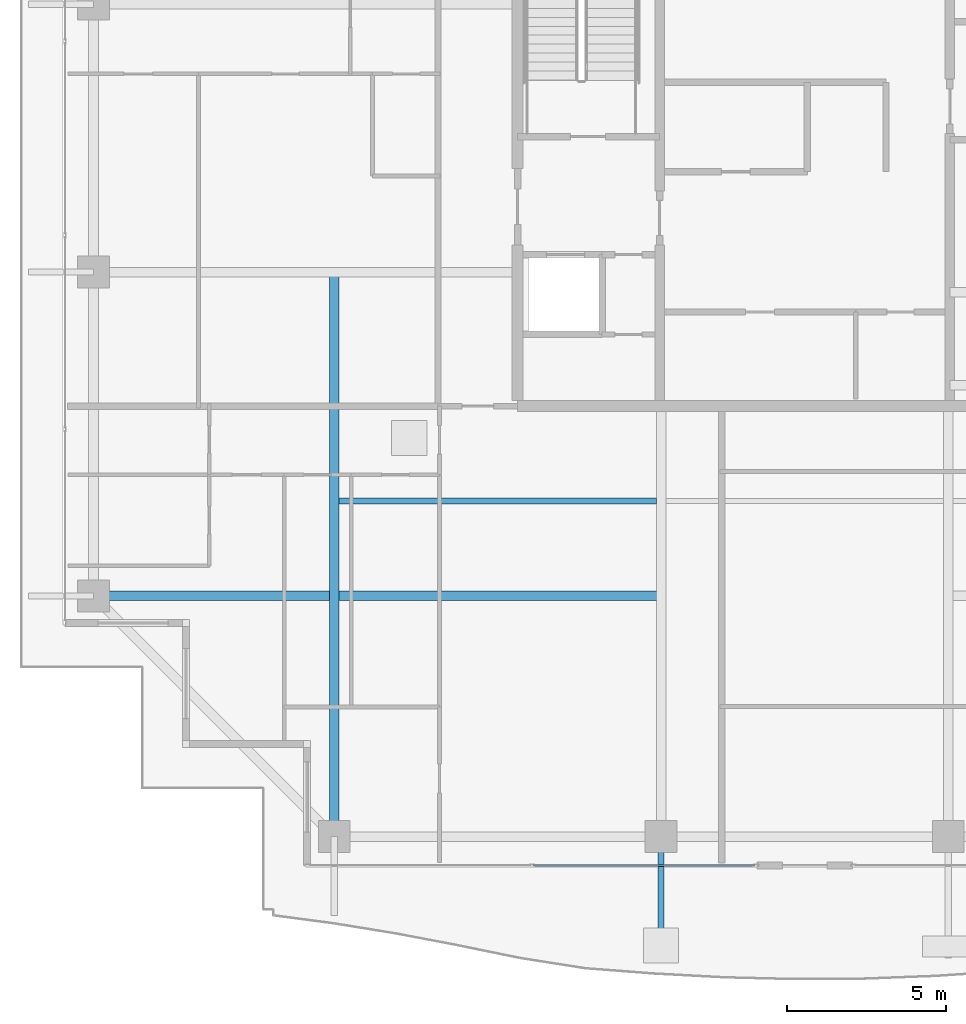
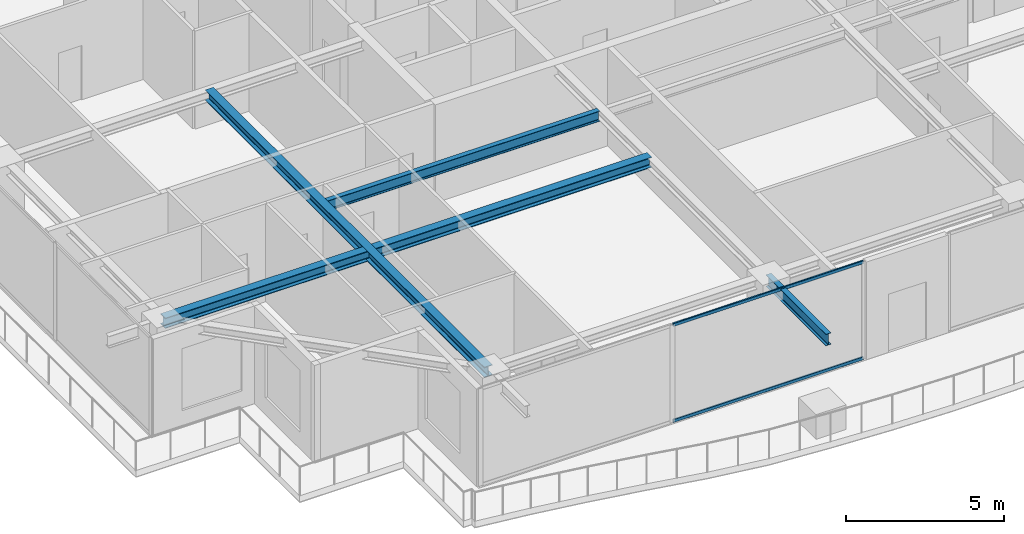
# One storey, part 5 of 42: 4 beams, 2 members, 1 element without a shape of its own.
"""IFC4 building model written with IfcOpenShell, lengths in metres."""

from ifc_helpers import new_model, si_unit, direction, frame, origin, origin_2d, place, context, subcontext, project, spatial, hollow_rectangle, i_section, extrude, source, transform, mapped, material, layer, layer_set, material_profile, profile_set, type_object, element, aggregate, save


model = new_model("IFC4")

# Units and contexts
model_context = context("Model", 3, precision=1e-05, world=origin(), true_north=direction((0.0, 1.0)))
body_context = subcontext(model_context, "Body", "Model", "MODEL_VIEW")
ifc_project = project(units=[si_unit("LENGTHUNIT", "METRE"), si_unit("AREAUNIT", "SQUARE_METRE"), si_unit("VOLUMEUNIT", "CUBIC_METRE"), si_unit("PLANEANGLEUNIT", "RADIAN"), si_unit("MASSUNIT", "GRAM", prefix="KILO")], contexts=[model_context])

# Site, building, storey
site_placement = place(None, origin())
site = spatial("IfcSite", under=ifc_project, at=site_placement, CompositionType="ELEMENT")
building_placement = place(site_placement, origin())
building = spatial("IfcBuilding", under=site, at=building_placement, Name="Serunith Strait Residences", CompositionType="ELEMENT")
storey_placement = place(building_placement, frame((0.0, 0.0, 293.449951171875)))
storey = spatial("IfcBuildingStorey", under=building, at=storey_placement, Name="L73", CompositionType="ELEMENT", Elevation=293.449951171875)

# Beams
ifc_material_1 = material(Name="Steel S355J2", Category="steel")
ifc_material_profile_1 = material_profile(ifc_material_1, i_section(OverallWidth=0.300048828125, OverallDepth=0.39990234375, WebThickness=0.013427734375, FlangeThickness=0.02392578125, FilletRadius=0.027099609375, at=origin_2d()), Name="HEB 400")
ifc_profile_set_1 = profile_set([ifc_material_profile_1], Name="Steel S355J2")
beam_type_1 = type_object("IfcBeamType", Name="BM-HEB400", PredefinedType="BEAM", material=ifc_profile_set_1)
shared_shape_1 = source(origin(), body_context, "Body", "SweptSolid", [
    extrude(i_section(OverallWidth=0.300048828125, OverallDepth=0.39990234375, WebThickness=0.013427734375, FlangeThickness=0.02392578125, FilletRadius=0.027099609375, at=origin_2d()), origin(), (0.0, 0.0, 1.0), 17.699951171875),
])
beam_1_placement = place(storey_placement, frame((17.64990234375, 21.0, 3.587158203125), z_axis=(0.0, -1.0, 0.0), x_axis=(1.0, 0.0, 0.0)))
element("IfcBeam", 1, at=beam_1_placement, inside=storey, type_object=beam_type_1, Name="L73 Orthogonal Corner Girder TC-S1", PredefinedType="BEAM", context=body_context, shape_type="MappedRepresentation", body=[
    mapped(shared_shape_1, transform((0.0, 0.0, 0.0), scale=1.0)),
])
shared_shape_2 = source(origin(), body_context, "Body", "SweptSolid", [
    extrude(i_section(OverallWidth=0.300048828125, OverallDepth=0.39990234375, WebThickness=0.013427734375, FlangeThickness=0.02392578125, FilletRadius=0.027099609375, at=origin_2d()), origin(), (0.0, 0.0, 1.0), 17.7998046875),
])
beam_2_placement = place(storey_placement, frame((27.89990234375, 10.85009765625, 3.587158203125), z_axis=(-1.0, 0.0, 0.0), x_axis=(0.0, -1.0, 0.0)))
element("IfcBeam", 2, at=beam_2_placement, inside=storey, type_object=beam_type_1, Name="L73 Orthogonal Corner Girder TC-W1", PredefinedType="BEAM", context=body_context, shape_type="MappedRepresentation", body=[
    mapped(shared_shape_2, transform((0.0, 0.0, 0.0), scale=1.0)),
])
ifc_material_profile_2 = material_profile(ifc_material_1, i_section(OverallWidth=0.179931640625, OverallDepth=0.39990234375, WebThickness=0.008544921875, FlangeThickness=0.013427734375, FilletRadius=0.02099609375, at=origin_2d()), Name="IPE 400")
ifc_profile_set_2 = profile_set([ifc_material_profile_2], Name="Steel S355J2")
beam_type_2 = type_object("IfcBeamType", Name="BM-IPE400", PredefinedType="JOIST", material=ifc_profile_set_2)
shared_shape_3 = source(origin(), body_context, "Body", "SweptSolid", [
    extrude(i_section(OverallWidth=0.179931640625, OverallDepth=0.39990234375, WebThickness=0.008544921875, FlangeThickness=0.013427734375, FilletRadius=0.02099609375, at=origin_2d()), origin(), (0.0, 0.0, 1.0), 9.949951171875),
])
beam_3_placement = place(storey_placement, frame((17.800048828125, 13.824951171875, 3.587158203125), z_axis=(1.0, 0.0, 0.0), x_axis=(0.0, 1.0, 0.0)))
element("IfcBeam", 3, at=beam_3_placement, inside=storey, type_object=beam_type_2, Name="L73 Composite Floor Joist 01", PredefinedType="JOIST", context=body_context, shape_type="MappedRepresentation", body=[
    mapped(shared_shape_3, transform((0.0, 0.0, 0.0), scale=1.0)),
])
ifc_material_profile_3 = material_profile(ifc_material_1, i_section(OverallWidth=0.18994140625, OverallDepth=0.449951171875, WebThickness=0.009521484375, FlangeThickness=0.0146484375, FilletRadius=0.02099609375, at=origin_2d()), Name="IPE 450")
ifc_profile_set_3 = profile_set([ifc_material_profile_3], Name="Steel S355J2")
beam_type_3 = type_object("IfcBeamType", Name="BM-IPE450", PredefinedType="JOIST", material=ifc_profile_set_3)
shared_shape_4 = source(origin(), body_context, "Body", "SweptSolid", [
    extrude(i_section(OverallWidth=0.18994140625, OverallDepth=0.449951171875, WebThickness=0.009521484375, FlangeThickness=0.0146484375, FilletRadius=0.02099609375, at=origin_2d()), origin(), (0.0, 0.0, 1.0), 3.800048828125),
])
beam_4_placement = place(storey_placement, frame((27.89990234375, 3.300048828125, 3.531982421875), z_axis=(0.0, -1.0, 0.0), x_axis=(1.0, 0.0, 0.0)))
element("IfcBeam", 4, at=beam_4_placement, inside=storey, type_object=beam_type_3, Name="L74 Cantilevered Balcony Rib TC-S2", PredefinedType="JOIST", context=body_context, shape_type="MappedRepresentation", body=[
    mapped(shared_shape_4, transform((0.0, 0.0, 0.0), scale=1.0)),
])

# Curtain wall, members
ifc_material_2 = material(Name="Brushed Stainless-Silver Aluminium", Category="aluminium")
ifc_layer = layer(ifc_material_2, 0.199951171875, Name="Brushed Stainless-Silver Aluminium")
ifc_layer_set = layer_set([ifc_layer], Name="Brushed Stainless-Silver Aluminium")
curtain_wall_type = type_object("IfcCurtainWallType", Name="CW-SYS5", PredefinedType="NOTDEFINED", material=ifc_layer_set)
curtain_wall_placement = place(storey_placement, origin())
curtain_wall = element("IfcCurtainWall", 5, at=curtain_wall_placement, inside=storey, type_object=curtain_wall_type, Name="L73 S Unitised Fritted Curtain Wall", PredefinedType="NOTDEFINED")
ifc_material_profile_4 = material_profile(ifc_material_2, hollow_rectangle(XDim=0.06005859375, YDim=0.1201171875, WallThickness=0.00341796875, InnerFilletRadius=0.00537109375, OuterFilletRadius=0.0087890625, at=origin_2d()), Name="ALU 120x60x3.5")
ifc_profile_set_4 = profile_set([ifc_material_profile_4], Name="Brushed Stainless-Silver Aluminium")
member_type = type_object("IfcMemberType", Name="CW-SYS5-TRAN", PredefinedType="USERDEFINED", material=ifc_profile_set_4)
shared_shape_5 = source(origin(), body_context, "Body", "SweptSolid", [
    extrude(hollow_rectangle(XDim=0.06005859375, YDim=0.1201171875, WallThickness=0.00341796875, InnerFilletRadius=0.00537109375, OuterFilletRadius=0.0087890625, at=origin_2d()), origin(), (0.0, 0.0, 1.0), 6.952392578125),
])
member_1_placement = place(storey_placement, frame((23.882568359375, 2.39990234375, 0.030029296875), z_axis=(1.0, 0.0, 0.0), x_axis=(0.0, 1.0, 0.0)))
member_1 = element("IfcMember", 6, at=member_1_placement, type_object=member_type, Name="CW-5 transom 2.1", ObjectType="TRANSOM", PredefinedType="USERDEFINED", context=body_context, shape_type="MappedRepresentation", body=[
    mapped(shared_shape_5, transform((0.0, 0.0, 0.0), scale=1.0)),
])
member_2_placement = place(storey_placement, frame((23.882568359375, 2.39990234375, 3.7451171875), z_axis=(1.0, 0.0, 0.0), x_axis=(0.0, 1.0, 0.0)))
member_2 = element("IfcMember", 7, at=member_2_placement, type_object=member_type, Name="CW-5 transom 2.2", ObjectType="TRANSOM", PredefinedType="USERDEFINED", context=body_context, shape_type="MappedRepresentation", body=[
    mapped(shared_shape_5, transform((0.0, 0.0, 0.0), scale=1.0)),
])
aggregate(curtain_wall, [member_1, member_2])

save(model, "model.ifc")
